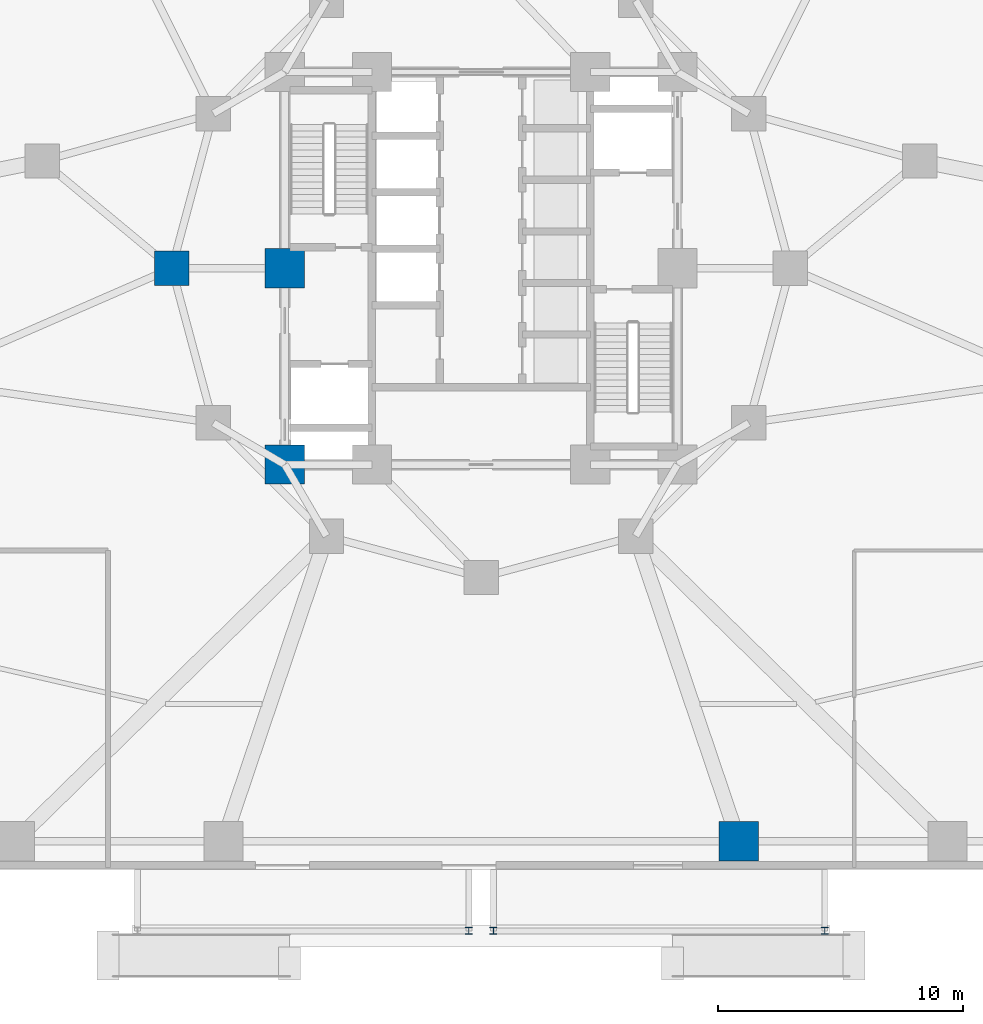
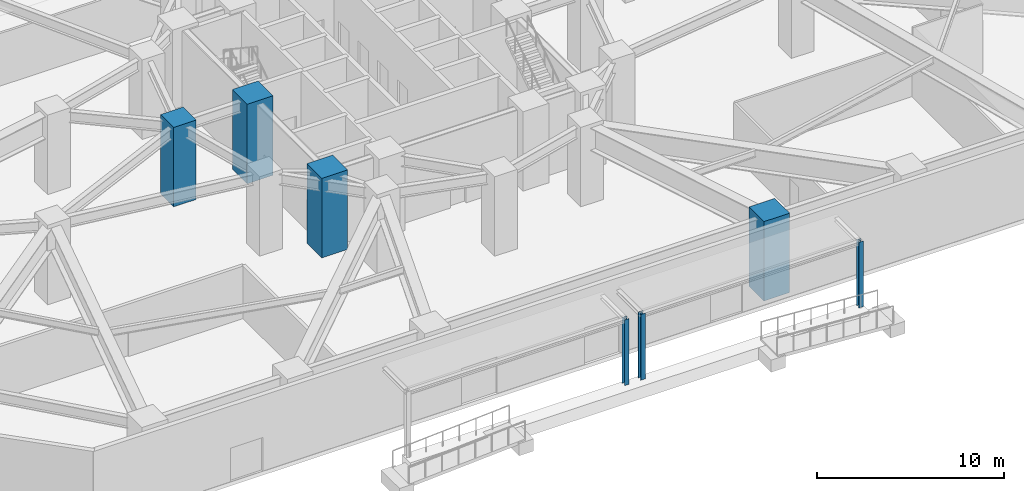
# One storey, part 3 of 30: 7 columns.
"""IFC4 building model written with IfcOpenShell, lengths in metres."""

from ifc_helpers import new_model, si_unit, direction, frame, origin, origin_2d, place, context, subcontext, project, spatial, rectangle, i_section, extrude, material, material_profile, profile_set, type_object, element, save


model = new_model("IFC4")

# Units and contexts
model_context = context("Model", 3, precision=1e-05, world=origin(), true_north=direction((0.0, 1.0)))
body_context = subcontext(model_context, "Body", "Model", "MODEL_VIEW")
ifc_project = project(units=[si_unit("LENGTHUNIT", "METRE"), si_unit("AREAUNIT", "SQUARE_METRE"), si_unit("VOLUMEUNIT", "CUBIC_METRE"), si_unit("PLANEANGLEUNIT", "RADIAN"), si_unit("MASSUNIT", "GRAM", prefix="KILO")], contexts=[model_context])

# Site, building, storey
site_placement = place(None, origin())
site = spatial("IfcSite", under=ifc_project, at=site_placement, CompositionType="ELEMENT")
building_placement = place(site_placement, origin())
building = spatial("IfcBuilding", under=site, at=building_placement, Name="Terralouvre Media Tower", CompositionType="ELEMENT")
storey_placement = place(building_placement, origin())
storey = spatial("IfcBuildingStorey", under=building, at=storey_placement, Name="L00", CompositionType="ELEMENT", Elevation=0.0)

# Columns
ifc_material_1 = material(Name="Structural steel S355J2", Category="steel")
ifc_material_profile_1 = material_profile(ifc_material_1, i_section(OverallWidth=0.280029296875, OverallDepth=0.280029296875, WebThickness=0.010498046875, FlangeThickness=0.01806640625, at=origin_2d()), Name="HEB 280")
ifc_profile_set_1 = profile_set([ifc_material_profile_1], Name="Structural steel S355J2")
column_type_1 = type_object("IfcColumnType", Name="Basement Aisle Pilaster PL-HEB280 (HEB 280)", PredefinedType="PILASTER", material=ifc_profile_set_1)
for number, where, z_axis, x_axis, name in (
    (1, (-0.5, -27.0, -0.10009765625), (0.0, 0.0, 1.0), (1.0, 0.0, 0.0), "L00 Canopy Support Post CANS1-2"),
    (2, (0.5, -27.0, -0.10009765625), (0.0, 0.0, 1.0), (1.0, 0.0, 0.0), "L00 Canopy Support Post CANS2-1"),
    (3, (14.0, -27.0, -0.10009765625), (0.0, 0.0, 1.0), (1.0, 0.0, 0.0), "L00 Canopy Support Post CANS2-2"),
):
    element("IfcColumn", number, at=place(storey_placement, frame(where, z_axis=z_axis, x_axis=x_axis)), inside=storey, type_object=column_type_1, Name=name, PredefinedType="PILASTER", context=body_context, shape_type="SweptSolid", body=[
        extrude(i_section(OverallWidth=0.280029296875, OverallDepth=0.280029296875, WebThickness=0.010498046875, FlangeThickness=0.01806640625, at=origin_2d()), origin(), (0.0, 0.0, 1.0), 4.300048828125),
    ])
ifc_material_2 = material(Name="Concrete C60/75", Category="concrete")
ifc_material_profile_2 = material_profile(ifc_material_2, rectangle(XDim=1.39990234375, YDim=1.39990234375, at=origin_2d()), Name="RC 1400x1400")
ifc_profile_set_2 = profile_set([ifc_material_profile_2], Name="Concrete C60/75")
column_type_2 = type_object("IfcColumnType", Name="Structural Column C-RC1400 (RC 1400x1400)", PredefinedType="COLUMN", material=ifc_profile_set_2)
column_placement = place(storey_placement, frame((-12.60009765625, 0.0, 0.0), z_axis=(0.0, 0.0, 1.0), x_axis=(1.0, 0.0, 0.0)))
element("IfcColumn", 4, at=column_placement, inside=storey, type_object=column_type_2, Name="L00 Mega-Frame Column MC07", PredefinedType="COLUMN", context=body_context, shape_type="SweptSolid", body=[
    extrude(rectangle(XDim=1.39990234375, YDim=1.39990234375, at=origin_2d()), origin(), (0.0, 0.0, 1.0), 5.199951171875),
])
ifc_material_3 = material(Name="Concrete C60/75", Category="concrete")
ifc_material_profile_3 = material_profile(ifc_material_3, rectangle(XDim=1.60009765625, YDim=1.60009765625, at=origin_2d()), Name="RC 1600x1600")
ifc_profile_set_3 = profile_set([ifc_material_profile_3], Name="Concrete C60/75")
column_type_3 = type_object("IfcColumnType", Name="Structural Column C-RC1600 (RC 1600x1600)", PredefinedType="COLUMN", material=ifc_profile_set_3)
for number, where, z_axis, x_axis, name in (
    (5, (-8.0, -8.0, 0.0), (0.0, 0.0, 1.0), (1.0, 0.0, 0.0), "L00 Core Pilaster Column CP1"),
    (6, (-8.0, 0.0, 0.0), (0.0, 0.0, 1.0), (1.0, 0.0, 0.0), "L00 Core Pilaster Column CP8"),
    (7, (10.5, -23.35009765625, 0.0), (0.0, 0.0, 1.0), (1.0, 0.0, 0.0), "L00 Perimeter Mega-Column PM04"),
):
    element("IfcColumn", number, at=place(storey_placement, frame(where, z_axis=z_axis, x_axis=x_axis)), inside=storey, type_object=column_type_3, Name=name, PredefinedType="COLUMN", context=body_context, shape_type="SweptSolid", body=[
        extrude(rectangle(XDim=1.60009765625, YDim=1.60009765625, at=origin_2d()), origin(), (0.0, 0.0, 1.0), 5.199951171875),
    ])

save(model, "model.ifc")
